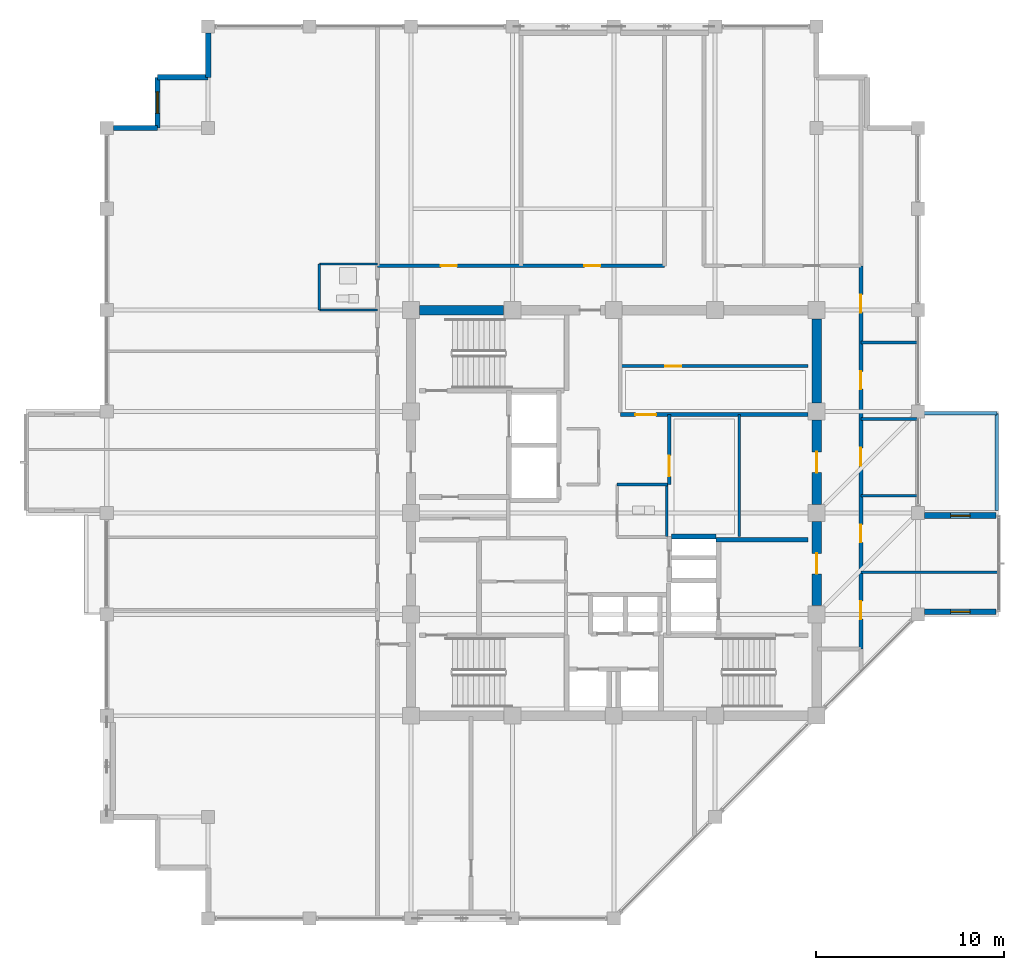
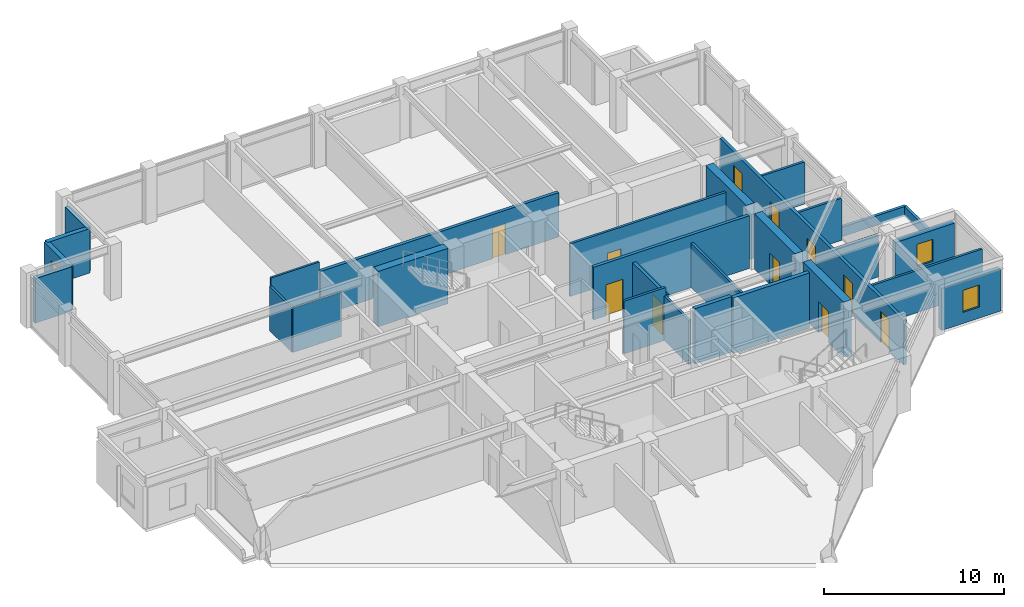
# One storey, part 27 of 31: 29 walls, 12 doors, 3 windows, 15 openings.
"""IFC4 building model written with IfcOpenShell, lengths in metres."""

from ifc_helpers import new_model, si_unit, direction, frame, frame_2d, origin, place, context, subcontext, project, spatial, rectangle, extrude, material, layer, layer_set, type_object, element, fill, save


model = new_model("IFC4")

# Units and contexts
model_context = context("Model", 3, precision=1e-05, world=origin(), true_north=direction((0.0, 1.0)))
body_context = subcontext(model_context, "Body", "Model", "MODEL_VIEW")
ifc_project = project(units=[si_unit("LENGTHUNIT", "METRE"), si_unit("AREAUNIT", "SQUARE_METRE"), si_unit("VOLUMEUNIT", "CUBIC_METRE"), si_unit("PLANEANGLEUNIT", "RADIAN"), si_unit("MASSUNIT", "GRAM", prefix="KILO")], contexts=[model_context])

# Site, building, storey
site_placement = place(None, origin())
site = spatial("IfcSite", under=ifc_project, at=site_placement, CompositionType="ELEMENT")
building_placement = place(site_placement, origin())
building = spatial("IfcBuilding", under=site, at=building_placement, Name="Surkhivell Harbour Commons", CompositionType="ELEMENT")
storey_placement = place(building_placement, frame((0.0, 0.0, 315.0)))
storey = spatial("IfcBuildingStorey", under=building, at=storey_placement, Name="L82", CompositionType="ELEMENT", Elevation=315.0)

# Wall
ifc_material_1 = material(Name="Concrete C50/60", Category="concrete")
ifc_layer_1 = layer(ifc_material_1, 0.5)
ifc_layer_set_1 = layer_set([ifc_layer_1], Name="Concrete C50/60")
wall_type_1 = type_object("IfcWallType", Name="WAL-CORE-500", PredefinedType="SHEAR", material=ifc_layer_set_1)
wall_1_placement = place(storey_placement, frame((-10.340087890625, 10.800048828125, 0.0), z_axis=(0.0, 0.0, 1.0), x_axis=(1.0, 0.0, 0.0)))
element("IfcWall", 1, at=wall_1_placement, inside=storey, type_object=wall_type_1, Name="L82 Core Shear Wall North 1", PredefinedType="SHEAR", context=body_context, shape_type="SweptSolid", body=[
    extrude(rectangle(XDim=4.47998046875, YDim=0.5, at=frame_2d((2.239990234375, 0.0))), origin(), (0.0, 0.0, 1.0), 3.75),
])

# Wall, opening, door
wall_2_placement = place(storey_placement, frame((10.800048828125, -4.93994140625, 0.0), z_axis=(0.0, 0.0, 1.0), x_axis=(0.0, 1.0, 0.0)))
wall_2 = element("IfcWall", 2, at=wall_2_placement, inside=storey, type_object=wall_type_1, Name="L82 Core Shear Wall East 2", PredefinedType="SHEAR", context=body_context, shape_type="SweptSolid", body=[
    extrude(rectangle(XDim=4.47998046875, YDim=0.5, at=frame_2d((2.239990234375, 0.0))), origin(), (0.0, 0.0, 1.0), 3.75),
])
opening_1_placement = place(wall_2_placement, frame((1.68994140625, 0.0, 0.0)))
opening_1 = element("IfcOpeningElement", 3, at=opening_1_placement, cuts=wall_2, Name="Opening ID-1", PredefinedType="OPENING", context=body_context, shape_type="SweptSolid", body=[
    extrude(rectangle(XDim=1.10009765625, YDim=2.10009765625, at=frame_2d((0.550048828125, 1.050048828125))), frame((0.0, 0.260009765625, 0.0), z_axis=(0.0, -1.0, 0.0), x_axis=(1.0, 0.0, 0.0)), (0.0, 0.0, 1.0), 0.52001953125),
])
ifc_material_2 = material(Name="Hardwood-veneered fire-rated door leaf", Category="wood")
door_type_1 = type_object("IfcDoorType", Name="DOR-FD120-1100", OperationType="NOTDEFINED", PredefinedType="DOOR", material=ifc_material_2)
door_1_placement = place(opening_1_placement, origin())
door_1 = element("IfcDoor", 4, at=door_1_placement, inside=storey, type_object=door_type_1, Name="L82 Firefighting Lobby 2 Corridor Door", OperationType="SINGLE_SWING_RIGHT", OverallHeight=2.10009765625, OverallWidth=1.10009765625, PredefinedType="DOOR", context=body_context, shape_type="SweptSolid", body=[
    extrude(rectangle(XDim=1.10009765625, YDim=2.10009765625, at=frame_2d((0.550048828125, 1.050048828125))), frame((0.0, 0.02490234375, 0.0), z_axis=(0.0, -1.0, 0.0), x_axis=(1.0, 0.0, 0.0)), (0.0, 0.0, 1.0), 0.050048828125),
])
fill(opening_1, door_1)

wall_3_placement = place(storey_placement, frame((10.800048828125, 0.4599609375, 0.0), z_axis=(0.0, 0.0, 1.0), x_axis=(0.0, 1.0, 0.0)))
wall_3 = element("IfcWall", 5, at=wall_3_placement, inside=storey, type_object=wall_type_1, Name="L82 Core Shear Wall East 3", PredefinedType="SHEAR", context=body_context, shape_type="SweptSolid", body=[
    extrude(rectangle(XDim=4.47998046875, YDim=0.5, at=frame_2d((2.239990234375, 0.0))), origin(), (0.0, 0.0, 1.0), 3.75),
])
opening_2_placement = place(wall_3_placement, frame((1.68994140625, 0.0, 0.0)))
opening_2 = element("IfcOpeningElement", 6, at=opening_2_placement, cuts=wall_3, Name="Opening ID-2", PredefinedType="OPENING", context=body_context, shape_type="SweptSolid", body=[
    extrude(rectangle(XDim=1.10009765625, YDim=2.10009765625, at=frame_2d((0.550048828125, 1.050048828125))), frame((0.0, 0.260009765625, 0.0), z_axis=(0.0, -1.0, 0.0), x_axis=(1.0, 0.0, 0.0)), (0.0, 0.0, 1.0), 0.52001953125),
])
door_type_2 = type_object("IfcDoorType", Name="DOR-FD60-1100", OperationType="NOTDEFINED", PredefinedType="DOOR", material=ifc_material_2)
door_2_placement = place(opening_2_placement, origin())
door_2 = element("IfcDoor", 7, at=door_2_placement, inside=storey, type_object=door_type_2, Name="L82 Core Seminar East Door", OperationType="SINGLE_SWING_RIGHT", OverallHeight=2.10009765625, OverallWidth=1.10009765625, PredefinedType="DOOR", context=body_context, shape_type="SweptSolid", body=[
    extrude(rectangle(XDim=1.10009765625, YDim=2.10009765625, at=frame_2d((0.550048828125, 1.050048828125))), frame((0.0, 0.02490234375, 0.0), z_axis=(0.0, -1.0, 0.0), x_axis=(1.0, 0.0, 0.0)), (0.0, 0.0, 1.0), 0.050048828125),
])
fill(opening_2, door_2)

# Wall
wall_4_placement = place(storey_placement, frame((10.800048828125, 5.860107421875, 0.0), z_axis=(0.0, 0.0, 1.0), x_axis=(0.0, 1.0, 0.0)))
element("IfcWall", 8, at=wall_4_placement, inside=storey, type_object=wall_type_1, Name="L82 Core Shear Wall East 4", PredefinedType="SHEAR", context=body_context, shape_type="SweptSolid", body=[
    extrude(rectangle(XDim=4.47998046875, YDim=0.5, at=frame_2d((2.239990234375, 0.0))), origin(), (0.0, 0.0, 1.0), 3.75),
])

# Wall, opening, window
ifc_material_3 = material(Name="Flemish-bond kiln brick and precast concrete C45/55", Category="masonry")
ifc_layer_2 = layer(ifc_material_3, 0.300048828125)
ifc_layer_set_2 = layer_set([ifc_layer_2], Name="Flemish-bond kiln brick and precast concrete C45/55")
wall_type_2 = type_object("IfcWallType", Name="WAL-EXT-BRK300", PredefinedType="STANDARD", material=ifc_layer_set_2)
wall_5_placement = place(storey_placement, frame((16.553955078125, -5.260009765625, 0.0), z_axis=(0.0, 0.0, 1.0), x_axis=(1.0, 0.0, 0.0)))
wall_5 = element("IfcWall", 9, at=wall_5_placement, inside=storey, type_object=wall_type_2, Name="L82 Coloured Box Return Wall 01S", PredefinedType="STANDARD", context=body_context, shape_type="SweptSolid", body=[
    extrude(rectangle(XDim=3.80615234375, YDim=0.300048828125, at=frame_2d((1.903076171875, 0.0))), origin(), (0.0, 0.0, 1.0), 2.85693359375),
])
opening_3_placement = place(wall_5_placement, frame((1.3779296875, 0.0, 0.75)))
opening_3 = element("IfcOpeningElement", 10, at=opening_3_placement, cuts=wall_5, Name="Opening WN-11", PredefinedType="OPENING", context=body_context, shape_type="SweptSolid", body=[
    extrude(rectangle(XDim=1.050048828125, YDim=1.5, at=frame_2d((0.52490234375, 0.75))), frame((0.0, 0.159912109375, 0.0), z_axis=(0.0, -1.0, 0.0), x_axis=(1.0, 0.0, 0.0)), (0.0, 0.0, 1.0), 0.320068359375),
])
ifc_material_4 = material(Name="Thermal-break aluminium frame and double low-E glazing", Category="aluminium")
window_type_1 = type_object("IfcWindowType", Name="WIN-SER-1050x1500", PartitioningType="SINGLE_PANEL", PredefinedType="WINDOW", material=ifc_material_4)
window_1_placement = place(opening_3_placement, origin())
window_1 = element("IfcWindow", 11, at=window_1_placement, inside=storey, type_object=window_type_1, Name="L82 Coloured Box Return Window 01S", OverallHeight=1.5, OverallWidth=1.050048828125, PartitioningType="SINGLE_PANEL", PredefinedType="WINDOW", context=body_context, shape_type="SweptSolid", body=[
    extrude(rectangle(XDim=1.050048828125, YDim=1.5, at=frame_2d((0.52490234375, 0.75))), frame((0.0, 0.030029296875, 0.0), z_axis=(0.0, -1.0, 0.0), x_axis=(1.0, 0.0, 0.0)), (0.0, 0.0, 1.0), 0.06005859375),
])
fill(opening_3, window_1)

wall_6_placement = place(storey_placement, frame((16.553955078125, -0.139892578125, 0.0), z_axis=(0.0, 0.0, 1.0), x_axis=(1.0, 0.0, 0.0)))
wall_6 = element("IfcWall", 12, at=wall_6_placement, inside=storey, type_object=wall_type_2, Name="L82 Coloured Box Return Wall 01N", PredefinedType="STANDARD", context=body_context, shape_type="SweptSolid", body=[
    extrude(rectangle(XDim=3.80615234375, YDim=0.300048828125, at=frame_2d((1.903076171875, 0.0))), origin(), (0.0, 0.0, 1.0), 2.85693359375),
])
opening_4_placement = place(wall_6_placement, frame((1.3779296875, 0.0, 0.75)))
opening_4 = element("IfcOpeningElement", 13, at=opening_4_placement, cuts=wall_6, Name="Opening WN-11", PredefinedType="OPENING", context=body_context, shape_type="SweptSolid", body=[
    extrude(rectangle(XDim=1.050048828125, YDim=1.5, at=frame_2d((0.52490234375, 0.75))), frame((0.0, 0.159912109375, 0.0), z_axis=(0.0, -1.0, 0.0), x_axis=(1.0, 0.0, 0.0)), (0.0, 0.0, 1.0), 0.320068359375),
])
window_2_placement = place(opening_4_placement, origin())
window_2 = element("IfcWindow", 14, at=window_2_placement, inside=storey, type_object=window_type_1, Name="L82 Coloured Box Return Window 01N", OverallHeight=1.5, OverallWidth=1.050048828125, PartitioningType="SINGLE_PANEL", PredefinedType="WINDOW", context=body_context, shape_type="SweptSolid", body=[
    extrude(rectangle(XDim=1.050048828125, YDim=1.5, at=frame_2d((0.52490234375, 0.75))), frame((0.0, 0.030029296875, 0.0), z_axis=(0.0, -1.0, 0.0), x_axis=(1.0, 0.0, 0.0)), (0.0, 0.0, 1.0), 0.06005859375),
])
fill(opening_4, window_2)

# Walls
ifc_material_5 = material(Name="Terracotta-clad reinforced concrete C45/55", Category="masonry")
ifc_layer_3 = layer(ifc_material_5, 0.280029296875)
ifc_layer_set_3 = layer_set([ifc_layer_3], Name="Terracotta-clad reinforced concrete C45/55")
wall_type_3 = type_object("IfcWallType", Name="WAL-EXT-TER280", PredefinedType="STANDARD", material=ifc_layer_set_3)
wall_7_placement = place(storey_placement, frame((-21.60009765625, 25.552001953125, 0.0), z_axis=(0.0, 0.0, 1.0), x_axis=(0.0, -1.0, 0.0)))
element("IfcWall", 15, at=wall_7_placement, inside=storey, type_object=wall_type_3, Name="L82 Serrated Corner Facade Wall 08", PredefinedType="STANDARD", context=body_context, shape_type="SweptSolid", body=[
    extrude(rectangle(XDim=2.35205078125, YDim=0.280029296875, at=frame_2d((1.176025390625, 0.0))), origin(), (0.0, 0.0, 1.0), 3.012939453125),
])
wall_8_placement = place(storey_placement, frame((-21.60009765625, 23.199951171875, 0.0), z_axis=(0.0, 0.0, 1.0), x_axis=(-1.0, 0.0, 0.0)))
element("IfcWall", 16, at=wall_8_placement, inside=storey, type_object=wall_type_3, Name="L82 Serrated Corner Facade Wall 09", PredefinedType="STANDARD", context=body_context, shape_type="SweptSolid", body=[
    extrude(rectangle(XDim=2.699951171875, YDim=0.280029296875, at=frame_2d((1.35009765625, 0.0))), origin(), (0.0, 0.0, 1.0), 3.012939453125),
])

# Wall, opening, window
wall_9_placement = place(storey_placement, frame((-24.300048828125, 23.199951171875, 0.0), z_axis=(0.0, 0.0, 1.0), x_axis=(0.0, -1.0, 0.0)))
wall_9 = element("IfcWall", 17, at=wall_9_placement, inside=storey, type_object=wall_type_3, Name="L82 Serrated Corner Facade Wall 10", PredefinedType="STANDARD", context=body_context, shape_type="SweptSolid", body=[
    extrude(rectangle(XDim=2.699951171875, YDim=0.280029296875, at=frame_2d((1.35009765625, 0.0))), origin(), (0.0, 0.0, 1.0), 3.012939453125),
])
opening_5_placement = place(wall_9_placement, frame((0.77490234375, 0.0, 0.64990234375)))
opening_5 = element("IfcOpeningElement", 18, at=opening_5_placement, cuts=wall_9, Name="Opening WN-10", PredefinedType="OPENING", context=body_context, shape_type="SweptSolid", body=[
    extrude(rectangle(XDim=1.14990234375, YDim=1.550048828125, at=frame_2d((0.574951171875, 0.77490234375))), frame((0.0, 0.14990234375, 0.0), z_axis=(0.0, -1.0, 0.0), x_axis=(1.0, 0.0, 0.0)), (0.0, 0.0, 1.0), 0.300048828125),
])
window_type_2 = type_object("IfcWindowType", Name="WIN-SER-1150x1550", PartitioningType="SINGLE_PANEL", PredefinedType="WINDOW", material=ifc_material_4)
window_3_placement = place(opening_5_placement, origin())
window_3 = element("IfcWindow", 19, at=window_3_placement, inside=storey, type_object=window_type_2, Name="L82 Serrated Alcove Window 10", OverallHeight=1.550048828125, OverallWidth=1.14990234375, PartitioningType="SINGLE_PANEL", PredefinedType="WINDOW", context=body_context, shape_type="SweptSolid", body=[
    extrude(rectangle(XDim=1.14990234375, YDim=1.550048828125, at=frame_2d((0.574951171875, 0.77490234375))), frame((0.0, 0.030029296875, 0.0), z_axis=(0.0, -1.0, 0.0), x_axis=(1.0, 0.0, 0.0)), (0.0, 0.0, 1.0), 0.06005859375),
])
fill(opening_5, window_3)

# Walls
wall_10_placement = place(storey_placement, frame((-24.300048828125, 20.5, 0.0), z_axis=(0.0, 0.0, 1.0), x_axis=(-1.0, 0.0, 0.0)))
element("IfcWall", 20, at=wall_10_placement, inside=storey, type_object=wall_type_3, Name="L82 Serrated Corner Facade Wall 11", PredefinedType="STANDARD", context=body_context, shape_type="SweptSolid", body=[
    extrude(rectangle(XDim=2.35205078125, YDim=0.280029296875, at=frame_2d((1.176025390625, 0.0))), origin(), (0.0, 0.0, 1.0), 3.012939453125),
])
ifc_material_6 = material(Name="Moisture-resistant acoustic stud partition", Category="other")
ifc_layer_4 = layer(ifc_material_6, 0.125)
ifc_layer_set_4 = layer_set([ifc_layer_4], Name="Moisture-resistant acoustic stud partition")
wall_type_4 = type_object("IfcWallType", Name="WAL-INT-125", PredefinedType="PARTITIONING", material=ifc_layer_set_4)
wall_11_placement = place(storey_placement, frame((-15.679931640625, 10.81005859375, 0.0), z_axis=(0.0, 0.0, 1.0), x_axis=(0.0, 1.0, 0.0)))
element("IfcWall", 21, at=wall_11_placement, inside=storey, type_object=wall_type_4, Name="L82 West Partition BTHB", PredefinedType="PARTITIONING", context=body_context, shape_type="SweptSolid", body=[
    extrude(rectangle(XDim=2.449951171875, YDim=0.125, at=frame_2d((1.22509765625, 0.0))), origin(), (0.0, 0.0, 1.0), 3.012939453125),
])
wall_12_placement = place(storey_placement, frame((-15.679931640625, 13.260009765625, 0.0), z_axis=(0.0, 0.0, 1.0), x_axis=(1.0, 0.0, 0.0)))
element("IfcWall", 22, at=wall_12_placement, inside=storey, type_object=wall_type_4, Name="L82 West Partition BTHN", PredefinedType="PARTITIONING", context=body_context, shape_type="SweptSolid", body=[
    extrude(rectangle(XDim=3.099853515625, YDim=0.125, at=frame_2d((1.5498046875, 0.0))), origin(), (0.0, 0.0, 1.0), 3.570068359375),
])
wall_13_placement = place(storey_placement, frame((-15.679931640625, 10.81005859375, 0.0), z_axis=(0.0, 0.0, 1.0), x_axis=(1.0, 0.0, 0.0)))
element("IfcWall", 23, at=wall_13_placement, inside=storey, type_object=wall_type_4, Name="L82 West Partition BTHS", PredefinedType="PARTITIONING", context=body_context, shape_type="SweptSolid", body=[
    extrude(rectangle(XDim=3.099853515625, YDim=0.125, at=frame_2d((1.5498046875, 0.0))), origin(), (0.0, 0.0, 1.0), 3.012939453125),
])
ifc_material_7 = material(Name="Twin-stud acoustic fireboard partition", Category="other")
ifc_layer_5 = layer(ifc_material_7, 0.14990234375)
ifc_layer_set_5 = layer_set([ifc_layer_5], Name="Twin-stud acoustic fireboard partition")
wall_type_5 = type_object("IfcWallType", Name="WAL-INT-150", PredefinedType="PARTITIONING", material=ifc_layer_set_5)
wall_14_placement = place(storey_placement, frame((2.820068359375, -1.25, 0.0), z_axis=(0.0, 0.0, 1.0), x_axis=(0.0, 1.0, 0.0)))
element("IfcWall", 24, at=wall_14_placement, inside=storey, type_object=wall_type_5, Name="L82 Core WC East Wall", PredefinedType="PARTITIONING", context=body_context, shape_type="SweptSolid", body=[
    extrude(rectangle(XDim=2.77001953125, YDim=0.14990234375, at=frame_2d((1.385009765625, 0.0))), origin(), (0.0, 0.0, 1.0), 3.012939453125),
])
wall_15_placement = place(storey_placement, frame((0.179931640625, 1.52001953125, 0.0), z_axis=(0.0, 0.0, 1.0), x_axis=(1.0, 0.0, 0.0)))
element("IfcWall", 25, at=wall_15_placement, inside=storey, type_object=wall_type_5, Name="L82 Core WC North Wall", PredefinedType="PARTITIONING", context=body_context, shape_type="SweptSolid", body=[
    extrude(rectangle(XDim=2.670166015625, YDim=0.14990234375, at=frame_2d((1.3349609375, 0.0))), origin(), (0.0, 0.0, 1.0), 3.570068359375),
])

# Wall, opening, door
wall_16_placement = place(storey_placement, frame((0.35009765625, 7.820068359375, 0.0), z_axis=(0.0, 0.0, 1.0), x_axis=(1.0, 0.0, 0.0)))
wall_16 = element("IfcWall", 26, at=wall_16_placement, inside=storey, type_object=wall_type_5, Name="L82 Core Archive Partition", PredefinedType="PARTITIONING", context=body_context, shape_type="SweptSolid", body=[
    extrude(rectangle(XDim=9.989990234375, YDim=0.14990234375, at=frame_2d((4.9951171875, 0.0))), origin(), (0.0, 0.0, 1.0), 3.570068359375),
])
opening_6_placement = place(wall_16_placement, frame((2.39990234375, 0.0, 0.0)))
opening_6 = element("IfcOpeningElement", 27, at=opening_6_placement, cuts=wall_16, Name="Opening ID-6", PredefinedType="OPENING", context=body_context, shape_type="SweptSolid", body=[
    extrude(rectangle(XDim=0.85009765625, YDim=2.10009765625, at=frame_2d((0.425048828125, 1.050048828125))), frame((0.0, 0.0849609375, 0.0), z_axis=(0.0, -1.0, 0.0), x_axis=(1.0, 0.0, 0.0)), (0.0, 0.0, 1.0), 0.169921875),
])
door_type_3 = type_object("IfcDoorType", Name="DOR-FD30-850", OperationType="NOTDEFINED", PredefinedType="DOOR", material=ifc_material_2)
door_3_placement = place(opening_6_placement, origin())
door_3 = element("IfcDoor", 28, at=door_3_placement, inside=storey, type_object=door_type_3, Name="L82 Archive Room Door", OperationType="SINGLE_SWING_LEFT", OverallHeight=2.10009765625, OverallWidth=0.85009765625, PredefinedType="DOOR", context=body_context, shape_type="SweptSolid", body=[
    extrude(rectangle(XDim=0.85009765625, YDim=2.10009765625, at=frame_2d((0.425048828125, 1.050048828125))), frame((0.0, 0.02490234375, 0.0), z_axis=(0.0, -1.0, 0.0), x_axis=(1.0, 0.0, 0.0)), (0.0, 0.0, 1.0), 0.050048828125),
])
fill(opening_6, door_3)

# Walls
wall_17_placement = place(storey_placement, frame((6.679931640625, -1.25, 0.0), z_axis=(0.0, 0.0, 1.0), x_axis=(0.0, 1.0, 0.0)))
element("IfcWall", 29, at=wall_17_placement, inside=storey, type_object=wall_type_5, Name="L82 Seminar Room Wall", PredefinedType="PARTITIONING", context=body_context, shape_type="SweptSolid", body=[
    extrude(rectangle(XDim=6.489990234375, YDim=0.14990234375, at=frame_2d((3.2451171875, 0.0))), origin(), (0.0, 0.0, 1.0), 3.012939453125),
])
wall_18_placement = place(storey_placement, frame((13.159912109375, -3.159912109375, 0.0), z_axis=(0.0, 0.0, 1.0), x_axis=(1.0, 0.0, 0.0)))
element("IfcWall", 30, at=wall_18_placement, inside=storey, type_object=wall_type_5, Name="L82 East Partition P1", PredefinedType="PARTITIONING", context=body_context, shape_type="SweptSolid", body=[
    extrude(rectangle(XDim=7.280029296875, YDim=0.14990234375, at=frame_2d((3.64013671875, 0.0))), origin(), (0.0, 0.0, 1.0), 2.85693359375),
])
for number, where, z_axis, x_axis, name in (
    (31, (13.159912109375, 0.919921875, 0.0), (0.0, 0.0, 1.0), (1.0, 0.0, 0.0), "L82 East Partition P2"),
    (32, (13.159912109375, 5.0, 0.0), (0.0, 0.0, 1.0), (1.0, 0.0, 0.0), "L82 East Partition P3"),
    (33, (13.159912109375, 9.080078125, 0.0), (0.0, 0.0, 1.0), (1.0, 0.0, 0.0), "L82 East Partition P4"),
):
    element("IfcWall", number, at=place(storey_placement, frame(where, z_axis=z_axis, x_axis=x_axis)), inside=storey, type_object=wall_type_5, Name=name, PredefinedType="PARTITIONING", context=body_context, shape_type="SweptSolid", body=[
        extrude(rectangle(XDim=2.97998046875, YDim=0.14990234375, at=frame_2d((1.489990234375, 0.0))), origin(), (0.0, 0.0, 1.0), 2.85693359375),
    ])

# Wall, opening, door
ifc_material_8 = material(Name="Autoclaved aerated concrete blockwork and fire plaster", Category="masonry")
ifc_layer_6 = layer(ifc_material_8, 0.199951171875)
ifc_layer_set_6 = layer_set([ifc_layer_6], Name="Autoclaved aerated concrete blockwork and fire plaster")
wall_type_6 = type_object("IfcWallType", Name="WAL-INT-200", PredefinedType="PARTITIONING", material=ifc_layer_set_6)
wall_19_placement = place(storey_placement, frame((0.35009765625, 5.239990234375, 0.0), z_axis=(0.0, 0.0, 1.0), x_axis=(1.0, 0.0, 0.0)))
wall_19 = element("IfcWall", 34, at=wall_19_placement, inside=storey, type_object=wall_type_6, Name="L82 Reclaimed Core North Bay South Wall", PredefinedType="PARTITIONING", context=body_context, shape_type="SweptSolid", body=[
    extrude(rectangle(XDim=9.989990234375, YDim=0.199951171875, at=frame_2d((4.9951171875, 0.0))), origin(), (0.0, 0.0, 1.0), 3.570068359375),
])
opening_7_placement = place(wall_19_placement, frame((0.800048828125, 0.0, 0.0)))
opening_7 = element("IfcOpeningElement", 35, at=opening_7_placement, cuts=wall_19, Name="Opening ID-2", PredefinedType="OPENING", context=body_context, shape_type="SweptSolid", body=[
    extrude(rectangle(XDim=1.10009765625, YDim=2.10009765625, at=frame_2d((0.550048828125, 1.050048828125))), frame((0.0, 0.10986328125, 0.0), z_axis=(0.0, -1.0, 0.0), x_axis=(1.0, 0.0, 0.0)), (0.0, 0.0, 1.0), 0.219970703125),
])
door_4_placement = place(opening_7_placement, origin())
door_4 = element("IfcDoor", 36, at=door_4_placement, inside=storey, type_object=door_type_2, Name="L82 Study Alcove Door", OperationType="SINGLE_SWING_RIGHT", OverallHeight=2.10009765625, OverallWidth=1.10009765625, PredefinedType="DOOR", context=body_context, shape_type="SweptSolid", body=[
    extrude(rectangle(XDim=1.10009765625, YDim=2.10009765625, at=frame_2d((0.550048828125, 1.050048828125))), frame((0.0, 0.02490234375, 0.0), z_axis=(0.0, -1.0, 0.0), x_axis=(1.0, 0.0, 0.0)), (0.0, 0.0, 1.0), 0.050048828125),
])
fill(opening_7, door_4)

# Wall, openings, doors
wall_20_placement = place(storey_placement, frame((13.159912109375, -7.239990234375, 0.0), z_axis=(0.0, 0.0, 1.0), x_axis=(0.0, 1.0, 0.0)))
wall_20 = element("IfcWall", 37, at=wall_20_placement, inside=storey, type_object=wall_type_6, Name="L82 East Corridor Wall", PredefinedType="PARTITIONING", context=body_context, shape_type="SweptSolid", body=[
    extrude(rectangle(XDim=20.39990234375, YDim=0.199951171875, at=frame_2d((10.199951171875, 0.0))), origin(), (0.0, 0.0, 1.0), 3.012939453125),
])
opening_8_placement = place(wall_20_placement, frame((1.590087890625, 0.0, 0.0)))
opening_8 = element("IfcOpeningElement", 38, at=opening_8_placement, cuts=wall_20, Name="Opening ID-4", PredefinedType="OPENING", context=body_context, shape_type="SweptSolid", body=[
    extrude(rectangle(XDim=0.949951171875, YDim=2.10009765625, at=frame_2d((0.47509765625, 1.050048828125))), frame((0.0, 0.10986328125, 0.0), z_axis=(0.0, -1.0, 0.0), x_axis=(1.0, 0.0, 0.0)), (0.0, 0.0, 1.0), 0.219970703125),
])
opening_9_placement = place(wall_20_placement, frame((5.669921875, 0.0, 0.0)))
opening_9 = element("IfcOpeningElement", 39, at=opening_9_placement, cuts=wall_20, Name="Opening ID-4", PredefinedType="OPENING", context=body_context, shape_type="SweptSolid", body=[
    extrude(rectangle(XDim=0.949951171875, YDim=2.10009765625, at=frame_2d((0.47509765625, 1.050048828125))), frame((0.0, 0.10986328125, 0.0), z_axis=(0.0, -1.0, 0.0), x_axis=(1.0, 0.0, 0.0)), (0.0, 0.0, 1.0), 0.219970703125),
])
opening_10_placement = place(wall_20_placement, frame((9.75, 0.0, 0.0)))
opening_10 = element("IfcOpeningElement", 40, at=opening_10_placement, cuts=wall_20, Name="Opening ID-4", PredefinedType="OPENING", context=body_context, shape_type="SweptSolid", body=[
    extrude(rectangle(XDim=0.949951171875, YDim=2.10009765625, at=frame_2d((0.47509765625, 1.050048828125))), frame((0.0, 0.10986328125, 0.0), z_axis=(0.0, -1.0, 0.0), x_axis=(1.0, 0.0, 0.0)), (0.0, 0.0, 1.0), 0.219970703125),
])
opening_11_placement = place(wall_20_placement, frame((13.830078125, 0.0, 0.0)))
opening_11 = element("IfcOpeningElement", 41, at=opening_11_placement, cuts=wall_20, Name="Opening ID-4", PredefinedType="OPENING", context=body_context, shape_type="SweptSolid", body=[
    extrude(rectangle(XDim=0.949951171875, YDim=2.10009765625, at=frame_2d((0.47509765625, 1.050048828125))), frame((0.0, 0.10986328125, 0.0), z_axis=(0.0, -1.0, 0.0), x_axis=(1.0, 0.0, 0.0)), (0.0, 0.0, 1.0), 0.219970703125),
])
opening_12_placement = place(wall_20_placement, frame((17.909912109375, 0.0, 0.0)))
opening_12 = element("IfcOpeningElement", 42, at=opening_12_placement, cuts=wall_20, Name="Opening ID-4", PredefinedType="OPENING", context=body_context, shape_type="SweptSolid", body=[
    extrude(rectangle(XDim=0.949951171875, YDim=2.10009765625, at=frame_2d((0.47509765625, 1.050048828125))), frame((0.0, 0.10986328125, 0.0), z_axis=(0.0, -1.0, 0.0), x_axis=(1.0, 0.0, 0.0)), (0.0, 0.0, 1.0), 0.219970703125),
])
door_type_4 = type_object("IfcDoorType", Name="DOR-FD60-950", OperationType="NOTDEFINED", PredefinedType="DOOR", material=ifc_material_2)
door_5_placement = place(opening_8_placement, origin())
door_5 = element("IfcDoor", 43, at=door_5_placement, inside=storey, type_object=door_type_4, Name="L82 Co-Working Study Office Pod 1 East Door", OperationType="SINGLE_SWING_RIGHT", OverallHeight=2.10009765625, OverallWidth=0.949951171875, PredefinedType="DOOR", context=body_context, shape_type="SweptSolid", body=[
    extrude(rectangle(XDim=0.949951171875, YDim=2.10009765625, at=frame_2d((0.47509765625, 1.050048828125))), frame((0.0, 0.02490234375, 0.0), z_axis=(0.0, -1.0, 0.0), x_axis=(1.0, 0.0, 0.0)), (0.0, 0.0, 1.0), 0.050048828125),
])
fill(opening_8, door_5)
door_6_placement = place(opening_9_placement, origin())
door_6 = element("IfcDoor", 44, at=door_6_placement, inside=storey, type_object=door_type_4, Name="L82 Academic Seminar Pod 2 East Door", OperationType="SINGLE_SWING_LEFT", OverallHeight=2.10009765625, OverallWidth=0.949951171875, PredefinedType="DOOR", context=body_context, shape_type="SweptSolid", body=[
    extrude(rectangle(XDim=0.949951171875, YDim=2.10009765625, at=frame_2d((0.47509765625, 1.050048828125))), frame((0.0, 0.02490234375, 0.0), z_axis=(0.0, -1.0, 0.0), x_axis=(1.0, 0.0, 0.0)), (0.0, 0.0, 1.0), 0.050048828125),
])
fill(opening_9, door_6)
door_7_placement = place(opening_10_placement, origin())
door_7 = element("IfcDoor", 45, at=door_7_placement, inside=storey, type_object=door_type_4, Name="L82 Harbour Espresso Cafe Shop 3 East Door", OperationType="SINGLE_SWING_RIGHT", OverallHeight=2.10009765625, OverallWidth=0.949951171875, PredefinedType="DOOR", context=body_context, shape_type="SweptSolid", body=[
    extrude(rectangle(XDim=0.949951171875, YDim=2.10009765625, at=frame_2d((0.47509765625, 1.050048828125))), frame((0.0, 0.02490234375, 0.0), z_axis=(0.0, -1.0, 0.0), x_axis=(1.0, 0.0, 0.0)), (0.0, 0.0, 1.0), 0.050048828125),
])
fill(opening_10, door_7)
door_8_placement = place(opening_11_placement, origin())
door_8 = element("IfcDoor", 46, at=door_8_placement, inside=storey, type_object=door_type_4, Name="L82 Zone Concierge Reception Foyer 4 East Door", OperationType="SINGLE_SWING_LEFT", OverallHeight=2.10009765625, OverallWidth=0.949951171875, PredefinedType="DOOR", context=body_context, shape_type="SweptSolid", body=[
    extrude(rectangle(XDim=0.949951171875, YDim=2.10009765625, at=frame_2d((0.47509765625, 1.050048828125))), frame((0.0, 0.02490234375, 0.0), z_axis=(0.0, -1.0, 0.0), x_axis=(1.0, 0.0, 0.0)), (0.0, 0.0, 1.0), 0.050048828125),
])
fill(opening_11, door_8)
door_9_placement = place(opening_12_placement, origin())
door_9 = element("IfcDoor", 47, at=door_9_placement, inside=storey, type_object=door_type_4, Name="L82 Shared Communal Kitchen 5 East Door", OperationType="SINGLE_SWING_RIGHT", OverallHeight=2.10009765625, OverallWidth=0.949951171875, PredefinedType="DOOR", context=body_context, shape_type="SweptSolid", body=[
    extrude(rectangle(XDim=0.949951171875, YDim=2.10009765625, at=frame_2d((0.47509765625, 1.050048828125))), frame((0.0, 0.02490234375, 0.0), z_axis=(0.0, -1.0, 0.0), x_axis=(1.0, 0.0, 0.0)), (0.0, 0.0, 1.0), 0.050048828125),
])
fill(opening_12, door_9)

wall_21_placement = place(storey_placement, frame((-12.580078125, 13.159912109375, 0.0), z_axis=(0.0, 0.0, 1.0), x_axis=(1.0, 0.0, 0.0)))
wall_21 = element("IfcWall", 48, at=wall_21_placement, inside=storey, type_object=wall_type_6, Name="L82 North-West Corridor Wall", PredefinedType="PARTITIONING", context=body_context, shape_type="SweptSolid", body=[
    extrude(rectangle(XDim=15.280029296875, YDim=0.199951171875, at=frame_2d((7.64013671875, 0.0))), origin(), (0.0, 0.0, 1.0), 3.012939453125),
])
opening_13_placement = place(wall_21_placement, frame((3.3701171875, 0.0, 0.0)))
opening_13 = element("IfcOpeningElement", 49, at=opening_13_placement, cuts=wall_21, Name="Opening ID-6", PredefinedType="OPENING", context=body_context, shape_type="SweptSolid", body=[
    extrude(rectangle(XDim=0.85009765625, YDim=2.10009765625, at=frame_2d((0.425048828125, 1.050048828125))), frame((0.0, 0.10986328125, 0.0), z_axis=(0.0, -1.0, 0.0), x_axis=(1.0, 0.0, 0.0)), (0.0, 0.0, 1.0), 0.219970703125),
])
opening_14_placement = place(wall_21_placement, frame((11.010009765625, 0.0, 0.0)))
opening_14 = element("IfcOpeningElement", 50, at=opening_14_placement, cuts=wall_21, Name="Opening ID-6", PredefinedType="OPENING", context=body_context, shape_type="SweptSolid", body=[
    extrude(rectangle(XDim=0.85009765625, YDim=2.10009765625, at=frame_2d((0.425048828125, 1.050048828125))), frame((0.0, 0.10986328125, 0.0), z_axis=(0.0, -1.0, 0.0), x_axis=(1.0, 0.0, 0.0)), (0.0, 0.0, 1.0), 0.219970703125),
])
door_10_placement = place(opening_13_placement, origin())
door_10 = element("IfcDoor", 51, at=door_10_placement, inside=storey, type_object=door_type_3, Name="L82 Campus Co-Op Bookshop North-West Door", OperationType="SINGLE_SWING_RIGHT", OverallHeight=2.10009765625, OverallWidth=0.85009765625, PredefinedType="DOOR", context=body_context, shape_type="SweptSolid", body=[
    extrude(rectangle(XDim=0.85009765625, YDim=2.10009765625, at=frame_2d((0.425048828125, 1.050048828125))), frame((0.0, 0.02490234375, 0.0), z_axis=(0.0, -1.0, 0.0), x_axis=(1.0, 0.0, 0.0)), (0.0, 0.0, 1.0), 0.050048828125),
])
fill(opening_13, door_10)
door_11_placement = place(opening_14_placement, origin())
door_11 = element("IfcDoor", 52, at=door_11_placement, inside=storey, type_object=door_type_3, Name="L82 Harbour Espresso Cafe Shop North-West Door", OperationType="SINGLE_SWING_LEFT", OverallHeight=2.10009765625, OverallWidth=0.85009765625, PredefinedType="DOOR", context=body_context, shape_type="SweptSolid", body=[
    extrude(rectangle(XDim=0.85009765625, YDim=2.10009765625, at=frame_2d((0.425048828125, 1.050048828125))), frame((0.0, 0.02490234375, 0.0), z_axis=(0.0, -1.0, 0.0), x_axis=(1.0, 0.0, 0.0)), (0.0, 0.0, 1.0), 0.050048828125),
])
fill(opening_14, door_11)

# Wall, opening, door
wall_22_placement = place(storey_placement, frame((2.949951171875, 1.52001953125, 0.0), z_axis=(0.0, 0.0, 1.0), x_axis=(0.0, 1.0, 0.0)))
wall_22 = element("IfcWall", 53, at=wall_22_placement, inside=storey, type_object=wall_type_6, Name="L82 Reclaimed East Core West Wall", PredefinedType="PARTITIONING", context=body_context, shape_type="SweptSolid", body=[
    extrude(rectangle(XDim=3.719970703125, YDim=0.199951171875, at=frame_2d((1.85986328125, 0.0))), origin(), (0.0, 0.0, 1.0), 3.012939453125),
])
opening_15_placement = place(wall_22_placement, frame((0.429931640625, 0.0, 0.0)))
opening_15 = element("IfcOpeningElement", 54, at=opening_15_placement, cuts=wall_22, Name="Opening ID-2", PredefinedType="OPENING", context=body_context, shape_type="SweptSolid", body=[
    extrude(rectangle(XDim=1.10009765625, YDim=2.10009765625, at=frame_2d((0.550048828125, 1.050048828125))), frame((0.0, 0.10986328125, 0.0), z_axis=(0.0, -1.0, 0.0), x_axis=(1.0, 0.0, 0.0)), (0.0, 0.0, 1.0), 0.219970703125),
])
door_12_placement = place(opening_15_placement, origin())
door_12 = element("IfcDoor", 55, at=door_12_placement, inside=storey, type_object=door_type_2, Name="L82 Reading Gallery Door", OperationType="SINGLE_SWING_LEFT", OverallHeight=2.10009765625, OverallWidth=1.10009765625, PredefinedType="DOOR", context=body_context, shape_type="SweptSolid", body=[
    extrude(rectangle(XDim=1.10009765625, YDim=2.10009765625, at=frame_2d((0.550048828125, 1.050048828125))), frame((0.0, 0.02490234375, 0.0), z_axis=(0.0, -1.0, 0.0), x_axis=(1.0, 0.0, 0.0)), (0.0, 0.0, 1.0), 0.050048828125),
])
fill(opening_15, door_12)

# Walls
ifc_material_9 = material(Name="Anodised aluminium and precast concrete C40/50", Category="concrete")
ifc_layer_7 = layer(ifc_material_9, 0.18505859375)
ifc_layer_set_7 = layer_set([ifc_layer_7], Name="Anodised aluminium and precast concrete C40/50")
wall_type_7 = type_object("IfcWallType", Name="WAL-PAR-185", PredefinedType="PARAPET", material=ifc_layer_set_7)
wall_23_placement = place(storey_placement, frame((20.39990234375, 0.1201171875, 0.0), z_axis=(0.0, 0.0, 1.0), x_axis=(0.0, 1.0, 0.0)))
element("IfcWall", 56, at=wall_23_placement, inside=storey, type_object=wall_type_7, Name="L82 Box Roof Coping Parapet 1-1", PredefinedType="PARAPET", context=body_context, shape_type="SweptSolid", body=[
    extrude(rectangle(XDim=5.179931640625, YDim=0.18505859375, at=frame_2d((2.58984375, 0.0))), origin(), (0.0, 0.0, 1.0), 0.64990234375),
])
wall_24_placement = place(storey_placement, frame((20.39990234375, 5.300048828125, 0.0), z_axis=(0.0, 0.0, 1.0), x_axis=(-1.0, 0.0, 0.0)))
element("IfcWall", 57, at=wall_24_placement, inside=storey, type_object=wall_type_7, Name="L82 Box Roof Coping Parapet 1-2", PredefinedType="PARAPET", context=body_context, shape_type="SweptSolid", body=[
    extrude(rectangle(XDim=4.079833984375, YDim=0.18505859375, at=frame_2d((2.0400390625, 0.0))), origin(), (0.0, 0.0, 1.0), 0.64990234375),
])
ifc_layer_8 = layer(ifc_material_1, 0.25)
ifc_layer_set_8 = layer_set([ifc_layer_8], Name="Concrete C50/60")
wall_type_8 = type_object("IfcWallType", Name="WAL-SHAFT-250", PredefinedType="SHEAR", material=ifc_layer_set_8)
wall_25_placement = place(storey_placement, frame((5.43994140625, -1.419921875, 0.0), z_axis=(0.0, 0.0, 1.0), x_axis=(1.0, 0.0, 0.0)))
element("IfcWall", 58, at=wall_25_placement, inside=storey, type_object=wall_type_8, Name="L82 Firefighting Lobby 2 North Wall", PredefinedType="SHEAR", context=body_context, shape_type="SweptSolid", body=[
    extrude(rectangle(XDim=4.900146484375, YDim=0.25, at=frame_2d((2.4501953125, 0.0))), origin(), (0.0, 0.0, 1.0), 3.75),
])
wall_26_placement = place(storey_placement, frame((3.080078125, -1.25, 0.0), z_axis=(0.0, 0.0, 1.0), x_axis=(1.0, 0.0, 0.0)))
element("IfcWall", 59, at=wall_26_placement, inside=storey, type_object=wall_type_8, Name="L82 Riser North Wall", PredefinedType="SHEAR", context=body_context, shape_type="SweptSolid", body=[
    extrude(rectangle(XDim=2.369873046875, YDim=0.25, at=frame_2d((1.18505859375, 0.0))), origin(), (0.0, 0.0, 1.0), 3.75),
])

save(model, "model.ifc")
